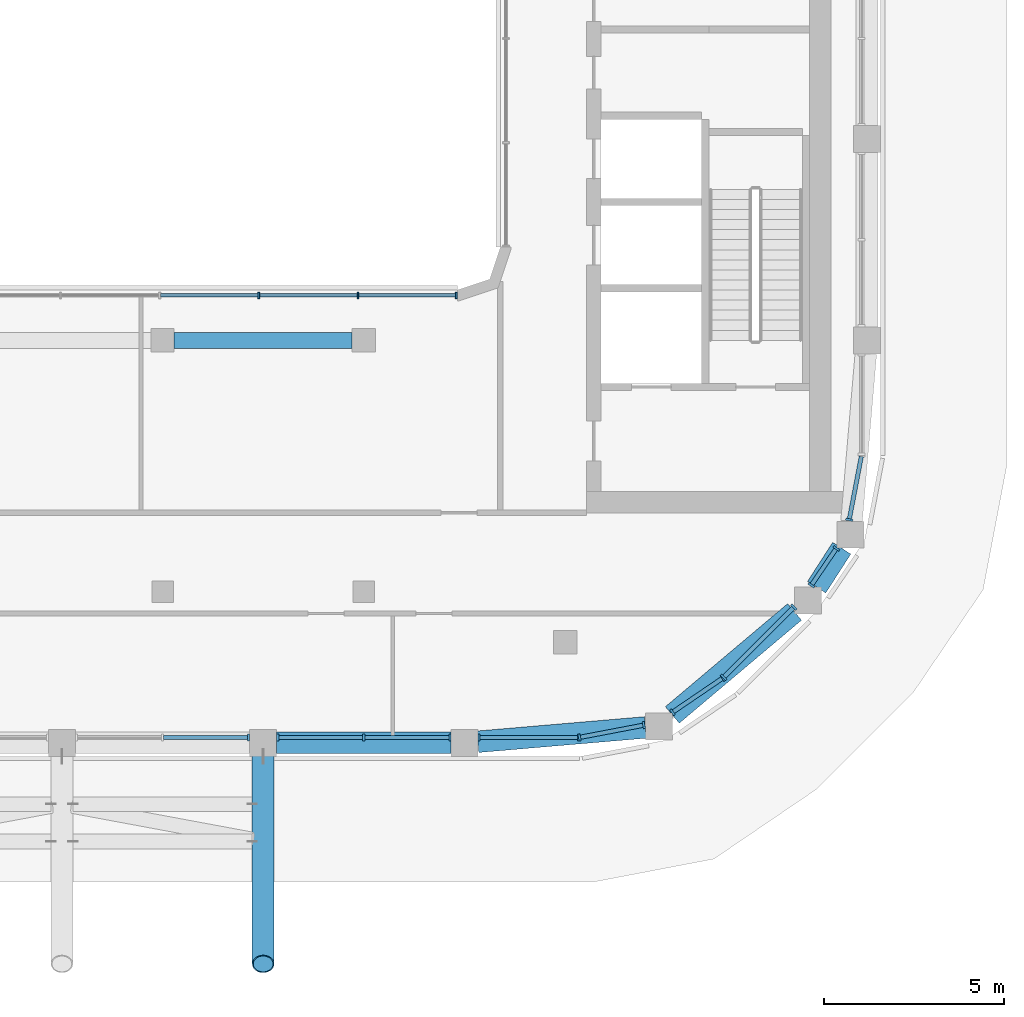
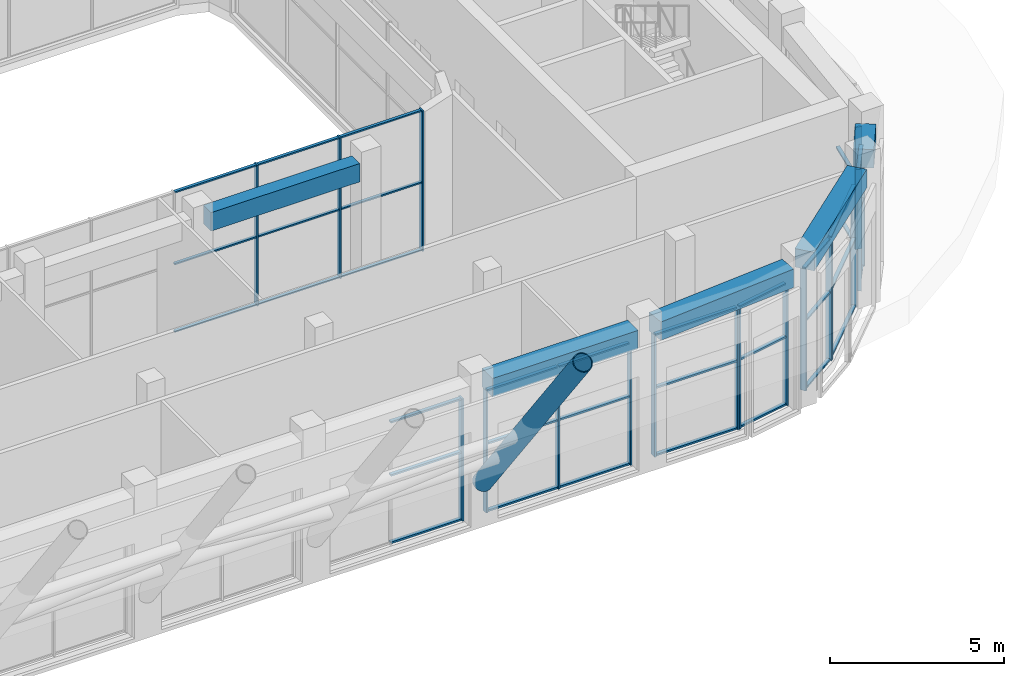
# One storey, part 6 of 24: 54 members, 5 beams, 9 elements without a shape of their own.
"""IFC4 building model written with IfcOpenShell, lengths in metres."""

from ifc_helpers import new_model, si_unit, direction, frame, origin, origin_2d, place, context, subcontext, project, spatial, rectangle, hollow_circle, extrude, material, layer, layer_set, material_profile, profile_set, type_object, element, aggregate, save


model = new_model("IFC4")

# Units and contexts
model_context = context("Model", 3, precision=1e-05, world=origin(), true_north=direction((0.0, 1.0)))
body_context = subcontext(model_context, "Body", "Model", "MODEL_VIEW")
ifc_project = project(units=[si_unit("LENGTHUNIT", "METRE"), si_unit("AREAUNIT", "SQUARE_METRE"), si_unit("VOLUMEUNIT", "CUBIC_METRE"), si_unit("PLANEANGLEUNIT", "RADIAN"), si_unit("MASSUNIT", "GRAM", prefix="KILO")], contexts=[model_context])

# Site, building, storey
site_placement = place(None, origin())
site = spatial("IfcSite", under=ifc_project, at=site_placement, CompositionType="ELEMENT")
building_placement = place(site_placement, origin())
building = spatial("IfcBuilding", under=site, at=building_placement, Name="Kiln Ring Residences", CompositionType="ELEMENT")
storey_placement = place(building_placement, frame((0.0, 0.0, 283.699951171875)))
storey = spatial("IfcBuildingStorey", under=building, at=storey_placement, Name="L74", CompositionType="ELEMENT", Elevation=283.699951171875)

# Curtain wall, member
ifc_material_1 = material(Name="Aluminium and glass", Category="aluminium")
ifc_layer_1 = layer(ifc_material_1, 0.199951171875)
ifc_layer_set_1 = layer_set([ifc_layer_1], Name="CW1 CURTAIN WALL")
curtain_wall_type_1 = type_object("IfcCurtainWallType", Name="CW1 CURTAIN WALL", PredefinedType="NOTDEFINED", material=ifc_layer_set_1)
placement = place(storey_placement, origin())
curtain_wall_1 = element("IfcCurtainWall", 1, at=placement, inside=storey, type_object=curtain_wall_type_1, Name="Curtain wall CW1 L74", PredefinedType="NOTDEFINED")
ifc_material_2 = material(Name="Aluminium 6063-T6", Category="aluminium")
ifc_material_profile_1 = material_profile(ifc_material_2, rectangle(XDim=0.199951171875, YDim=0.06005859375, at=origin_2d()), Name="AL 200x60")
ifc_profile_set_1 = profile_set([ifc_material_profile_1], Name="Aluminium 6063-T6")
member_type_1 = type_object("IfcMemberType", Name="CW1 MULLION 200 x 60", PredefinedType="MULLION", material=ifc_profile_set_1)
member_1_placement = place(storey_placement, frame((7.9951171875, -19.449951171875, 0.0), z_axis=(0.0, 0.0, 1.0), x_axis=(0.0, 1.0, 0.0)))
member_1 = element("IfcMember", 2, at=member_1_placement, type_object=member_type_1, Name="CW1 mullion 3", PredefinedType="MULLION", context=body_context, shape_type="SweptSolid", body=[
    extrude(rectangle(XDim=0.199951171875, YDim=0.06005859375, at=origin_2d()), origin(), (0.0, 0.0, 1.0), 4.300048828125),
])

# Curtain wall, members
curtain_wall_2 = element("IfcCurtainWall", 3, at=placement, inside=storey, type_object=curtain_wall_type_1, Name="Curtain wall CW1 L74", PredefinedType="NOTDEFINED")
member_2_placement = place(storey_placement, frame((8.804931640625, -19.449951171875, 0.0), z_axis=(0.0, 0.0, 1.0), x_axis=(0.0, 1.0, 0.0)))
member_2 = element("IfcMember", 4, at=member_2_placement, type_object=member_type_1, Name="CW1 mullion 1", PredefinedType="MULLION", context=body_context, shape_type="SweptSolid", body=[
    extrude(rectangle(XDim=0.199951171875, YDim=0.06005859375, at=origin_2d()), origin(), (0.0, 0.0, 1.0), 4.300048828125),
])
member_3_placement = place(storey_placement, frame((11.199951171875, -19.449951171875, 0.0), z_axis=(0.0, 0.0, 1.0), x_axis=(0.0, 1.0, 0.0)))
member_3 = element("IfcMember", 5, at=member_3_placement, type_object=member_type_1, Name="CW1 mullion 2", PredefinedType="MULLION", context=body_context, shape_type="SweptSolid", body=[
    extrude(rectangle(XDim=0.199951171875, YDim=0.06005859375, at=origin_2d()), origin(), (0.0, 0.0, 1.0), 4.300048828125),
])
member_4_placement = place(storey_placement, frame((13.594970703125, -19.449951171875, 0.0), z_axis=(0.0, 0.0, 1.0), x_axis=(0.0, 1.0, 0.0)))
member_4 = element("IfcMember", 6, at=member_4_placement, type_object=member_type_1, Name="CW1 mullion 3", PredefinedType="MULLION", context=body_context, shape_type="SweptSolid", body=[
    extrude(rectangle(XDim=0.199951171875, YDim=0.06005859375, at=origin_2d()), origin(), (0.0, 0.0, 1.0), 4.300048828125),
])

curtain_wall_3 = element("IfcCurtainWall", 7, at=placement, inside=storey, type_object=curtain_wall_type_1, Name="Curtain wall CW1 L74", PredefinedType="NOTDEFINED")
member_5_placement = place(storey_placement, frame((14.405029296875, -19.449951171875, 0.0), z_axis=(0.0, 0.0, 1.0), x_axis=(0.0, 1.0, 0.0)))
member_5 = element("IfcMember", 8, at=member_5_placement, type_object=member_type_1, Name="CW1 mullion 1", PredefinedType="MULLION", context=body_context, shape_type="SweptSolid", body=[
    extrude(rectangle(XDim=0.199951171875, YDim=0.06005859375, at=origin_2d()), origin(), (0.0, 0.0, 1.0), 4.300048828125),
])
member_6_placement = place(storey_placement, frame((17.169921875, -19.449951171875, 0.0), z_axis=(0.0, 0.0, 1.0), x_axis=(0.0, 1.0, 0.0)))
member_6 = element("IfcMember", 9, at=member_6_placement, type_object=member_type_1, Name="CW1 mullion 2", PredefinedType="MULLION", context=body_context, shape_type="SweptSolid", body=[
    extrude(rectangle(XDim=0.199951171875, YDim=0.06005859375, at=origin_2d()), origin(), (0.0, 0.0, 1.0), 4.300048828125),
])

curtain_wall_4 = element("IfcCurtainWall", 10, at=placement, inside=storey, type_object=curtain_wall_type_1, Name="Curtain wall CW1 L74", PredefinedType="NOTDEFINED")
member_7_placement = place(storey_placement, frame((17.201416015625, -19.447021484375, 0.0), z_axis=(0.0, 0.0, 1.0), x_axis=(-0.187365550364, 0.982290257784, 0.0)))
member_7 = element("IfcMember", 11, at=member_7_placement, type_object=member_type_1, Name="CW1 mullion 1", PredefinedType="MULLION", context=body_context, shape_type="SweptSolid", body=[
    extrude(rectangle(XDim=0.199951171875, YDim=0.06005859375, at=origin_2d()), origin(), (0.0, 0.0, 1.0), 4.300048828125),
])
member_8_placement = place(storey_placement, frame((18.990234375, -19.105712890625, 0.0), z_axis=(0.0, 0.0, 1.0), x_axis=(-0.187365550364, 0.982290257784, 0.0)))
member_8 = element("IfcMember", 12, at=member_8_placement, type_object=member_type_1, Name="CW1 mullion 2", PredefinedType="MULLION", context=body_context, shape_type="SweptSolid", body=[
    extrude(rectangle(XDim=0.199951171875, YDim=0.06005859375, at=origin_2d()), origin(), (0.0, 0.0, 1.0), 4.300048828125),
])

curtain_wall_5 = element("IfcCurtainWall", 13, at=placement, inside=storey, type_object=curtain_wall_type_1, Name="Curtain wall CW1 L74", PredefinedType="NOTDEFINED")
member_9_placement = place(storey_placement, frame((19.789306640625, -18.746337890625, 0.0), z_axis=(0.0, 0.0, 1.0), x_axis=(-0.562096651134, 0.827071553606, 0.0)))
member_9 = element("IfcMember", 14, at=member_9_placement, type_object=member_type_1, Name="CW1 mullion 1", PredefinedType="MULLION", context=body_context, shape_type="SweptSolid", body=[
    extrude(rectangle(XDim=0.199951171875, YDim=0.06005859375, at=origin_2d()), origin(), (0.0, 0.0, 1.0), 4.300048828125),
])
member_10_placement = place(storey_placement, frame((21.18798828125, -17.795654296875, 0.0), z_axis=(0.0, 0.0, 1.0), x_axis=(-0.562096651134, 0.827071553606, 0.0)))
member_10 = element("IfcMember", 15, at=member_10_placement, type_object=member_type_1, Name="CW1 mullion 2", PredefinedType="MULLION", context=body_context, shape_type="SweptSolid", body=[
    extrude(rectangle(XDim=0.199951171875, YDim=0.06005859375, at=origin_2d()), origin(), (0.0, 0.0, 1.0), 4.300048828125),
])

curtain_wall_6 = element("IfcCurtainWall", 16, at=placement, inside=storey, type_object=curtain_wall_type_1, Name="Curtain wall CW1 L74", PredefinedType="NOTDEFINED")
member_11_placement = place(storey_placement, frame((21.212158203125, -17.775634765625, 0.0), z_axis=(0.0, 0.0, 1.0), x_axis=(-0.707106781187, 0.707106781187, 0.0)))
member_11 = element("IfcMember", 17, at=member_11_placement, type_object=member_type_1, Name="CW1 mullion 1", PredefinedType="MULLION", context=body_context, shape_type="SweptSolid", body=[
    extrude(rectangle(XDim=0.199951171875, YDim=0.06005859375, at=origin_2d()), origin(), (0.0, 0.0, 1.0), 4.300048828125),
])
member_12_placement = place(storey_placement, frame((23.16357421875, -15.82421875, 0.0), z_axis=(0.0, 0.0, 1.0), x_axis=(-0.707106781187, 0.707106781187, 0.0)))
member_12 = element("IfcMember", 18, at=member_12_placement, type_object=member_type_1, Name="CW1 mullion 2", PredefinedType="MULLION", context=body_context, shape_type="SweptSolid", body=[
    extrude(rectangle(XDim=0.199951171875, YDim=0.06005859375, at=origin_2d()), origin(), (0.0, 0.0, 1.0), 4.300048828125),
])

curtain_wall_7 = element("IfcCurtainWall", 19, at=placement, inside=storey, type_object=curtain_wall_type_1, Name="Curtain wall CW1 L74", PredefinedType="NOTDEFINED")
member_13_placement = place(storey_placement, frame((23.65087890625, -15.21240234375, 0.0), z_axis=(0.0, 0.0, 1.0), x_axis=(-0.827071553674, 0.562096651033, 0.0)))
member_13 = element("IfcMember", 20, at=member_13_placement, type_object=member_type_1, Name="CW1 mullion 1", PredefinedType="MULLION", context=body_context, shape_type="SweptSolid", body=[
    extrude(rectangle(XDim=0.199951171875, YDim=0.06005859375, at=origin_2d()), origin(), (0.0, 0.0, 1.0), 4.300048828125),
])
member_14_placement = place(storey_placement, frame((24.34619140625, -14.189453125, 0.0), z_axis=(0.0, 0.0, 1.0), x_axis=(-0.827071553674, 0.562096651033, 0.0)))
member_14 = element("IfcMember", 21, at=member_14_placement, type_object=member_type_1, Name="CW1 mullion 2", PredefinedType="MULLION", context=body_context, shape_type="SweptSolid", body=[
    extrude(rectangle(XDim=0.199951171875, YDim=0.06005859375, at=origin_2d()), origin(), (0.0, 0.0, 1.0), 4.300048828125),
])

# Curtain wall, member
curtain_wall_8 = element("IfcCurtainWall", 22, at=placement, inside=storey, type_object=curtain_wall_type_1, Name="Curtain wall CW1 L74", PredefinedType="NOTDEFINED")
member_15_placement = place(storey_placement, frame((24.705810546875, -13.39013671875, 0.0), z_axis=(0.0, 0.0, 1.0), x_axis=(-0.982290257784, 0.187365550364, 0.0)))
member_15 = element("IfcMember", 23, at=member_15_placement, type_object=member_type_1, Name="CW1 mullion 1", PredefinedType="MULLION", context=body_context, shape_type="SweptSolid", body=[
    extrude(rectangle(XDim=0.199951171875, YDim=0.06005859375, at=origin_2d()), origin(), (0.0, 0.0, 1.0), 4.300048828125),
])

# Member
ifc_material_3 = material(Name="Aluminium 6063-T6", Category="aluminium")
ifc_material_profile_2 = material_profile(ifc_material_3, rectangle(XDim=0.1201171875, YDim=0.06005859375, at=origin_2d()), Name="AL 120x60")
ifc_profile_set_2 = profile_set([ifc_material_profile_2], Name="Aluminium 6063-T6")
member_type_2 = type_object("IfcMemberType", Name="CW1 TRANSOM 120 x 60", PredefinedType="USERDEFINED", material=ifc_profile_set_2)
member_16_placement = place(storey_placement, frame((5.6298828125, -19.449951171875, 0.030029296875), z_axis=(1.0, 0.0, 0.0), x_axis=(0.0, 1.0, 0.0)))
member_16 = element("IfcMember", 24, at=member_16_placement, type_object=member_type_2, Name="CW1 transom 2.1", ObjectType="TRANSOM", PredefinedType="USERDEFINED", context=body_context, shape_type="SweptSolid", body=[
    extrude(rectangle(XDim=0.1201171875, YDim=0.06005859375, at=origin_2d()), origin(), (0.0, 0.0, 1.0), 2.335205078125),
])

member_17_placement = place(storey_placement, frame((5.6298828125, -19.449951171875, 2.400146484375), z_axis=(1.0, 0.0, 0.0), x_axis=(0.0, 1.0, 0.0)))
member_17 = element("IfcMember", 25, at=member_17_placement, type_object=member_type_2, Name="CW1 transom 2.2", ObjectType="TRANSOM", PredefinedType="USERDEFINED", context=body_context, shape_type="SweptSolid", body=[
    extrude(rectangle(XDim=0.1201171875, YDim=0.06005859375, at=origin_2d()), origin(), (0.0, 0.0, 1.0), 2.335205078125),
])

member_18_placement = place(storey_placement, frame((5.6298828125, -19.449951171875, 4.27001953125), z_axis=(1.0, 0.0, 0.0), x_axis=(0.0, 1.0, 0.0)))
member_18 = element("IfcMember", 26, at=member_18_placement, type_object=member_type_2, Name="CW1 transom 2.3", ObjectType="TRANSOM", PredefinedType="USERDEFINED", context=body_context, shape_type="SweptSolid", body=[
    extrude(rectangle(XDim=0.1201171875, YDim=0.06005859375, at=origin_2d()), origin(), (0.0, 0.0, 1.0), 2.335205078125),
])

aggregate(curtain_wall_1, [member_1, member_16, member_17, member_18])

member_19_placement = place(storey_placement, frame((8.8349609375, -19.449951171875, 0.030029296875), z_axis=(1.0, 0.0, 0.0), x_axis=(0.0, 1.0, 0.0)))
member_19 = element("IfcMember", 27, at=member_19_placement, type_object=member_type_2, Name="CW1 transom 1.1", ObjectType="TRANSOM", PredefinedType="USERDEFINED", context=body_context, shape_type="SweptSolid", body=[
    extrude(rectangle(XDim=0.1201171875, YDim=0.06005859375, at=origin_2d()), origin(), (0.0, 0.0, 1.0), 2.3349609375),
])

member_20_placement = place(storey_placement, frame((8.8349609375, -19.449951171875, 2.400146484375), z_axis=(1.0, 0.0, 0.0), x_axis=(0.0, 1.0, 0.0)))
member_20 = element("IfcMember", 28, at=member_20_placement, type_object=member_type_2, Name="CW1 transom 1.2", ObjectType="TRANSOM", PredefinedType="USERDEFINED", context=body_context, shape_type="SweptSolid", body=[
    extrude(rectangle(XDim=0.1201171875, YDim=0.06005859375, at=origin_2d()), origin(), (0.0, 0.0, 1.0), 2.3349609375),
])

member_21_placement = place(storey_placement, frame((8.8349609375, -19.449951171875, 4.27001953125), z_axis=(1.0, 0.0, 0.0), x_axis=(0.0, 1.0, 0.0)))
member_21 = element("IfcMember", 29, at=member_21_placement, type_object=member_type_2, Name="CW1 transom 1.3", ObjectType="TRANSOM", PredefinedType="USERDEFINED", context=body_context, shape_type="SweptSolid", body=[
    extrude(rectangle(XDim=0.1201171875, YDim=0.06005859375, at=origin_2d()), origin(), (0.0, 0.0, 1.0), 2.3349609375),
])

member_22_placement = place(storey_placement, frame((11.22998046875, -19.449951171875, 0.030029296875), z_axis=(1.0, 0.0, 0.0), x_axis=(0.0, 1.0, 0.0)))
member_22 = element("IfcMember", 30, at=member_22_placement, type_object=member_type_2, Name="CW1 transom 2.1", ObjectType="TRANSOM", PredefinedType="USERDEFINED", context=body_context, shape_type="SweptSolid", body=[
    extrude(rectangle(XDim=0.1201171875, YDim=0.06005859375, at=origin_2d()), origin(), (0.0, 0.0, 1.0), 2.3349609375),
])

member_23_placement = place(storey_placement, frame((11.22998046875, -19.449951171875, 2.400146484375), z_axis=(1.0, 0.0, 0.0), x_axis=(0.0, 1.0, 0.0)))
member_23 = element("IfcMember", 31, at=member_23_placement, type_object=member_type_2, Name="CW1 transom 2.2", ObjectType="TRANSOM", PredefinedType="USERDEFINED", context=body_context, shape_type="SweptSolid", body=[
    extrude(rectangle(XDim=0.1201171875, YDim=0.06005859375, at=origin_2d()), origin(), (0.0, 0.0, 1.0), 2.3349609375),
])

member_24_placement = place(storey_placement, frame((11.22998046875, -19.449951171875, 4.27001953125), z_axis=(1.0, 0.0, 0.0), x_axis=(0.0, 1.0, 0.0)))
member_24 = element("IfcMember", 32, at=member_24_placement, type_object=member_type_2, Name="CW1 transom 2.3", ObjectType="TRANSOM", PredefinedType="USERDEFINED", context=body_context, shape_type="SweptSolid", body=[
    extrude(rectangle(XDim=0.1201171875, YDim=0.06005859375, at=origin_2d()), origin(), (0.0, 0.0, 1.0), 2.3349609375),
])

aggregate(curtain_wall_2, [member_2, member_3, member_4, member_19, member_20, member_21, member_22, member_23, member_24])

member_25_placement = place(storey_placement, frame((14.43505859375, -19.449951171875, 0.030029296875), z_axis=(1.0, 0.0, 0.0), x_axis=(0.0, 1.0, 0.0)))
member_25 = element("IfcMember", 33, at=member_25_placement, type_object=member_type_2, Name="CW1 transom 1.1", ObjectType="TRANSOM", PredefinedType="USERDEFINED", context=body_context, shape_type="SweptSolid", body=[
    extrude(rectangle(XDim=0.1201171875, YDim=0.06005859375, at=origin_2d()), origin(), (0.0, 0.0, 1.0), 2.704833984375),
])

member_26_placement = place(storey_placement, frame((14.43505859375, -19.449951171875, 2.400146484375), z_axis=(1.0, 0.0, 0.0), x_axis=(0.0, 1.0, 0.0)))
member_26 = element("IfcMember", 34, at=member_26_placement, type_object=member_type_2, Name="CW1 transom 1.2", ObjectType="TRANSOM", PredefinedType="USERDEFINED", context=body_context, shape_type="SweptSolid", body=[
    extrude(rectangle(XDim=0.1201171875, YDim=0.06005859375, at=origin_2d()), origin(), (0.0, 0.0, 1.0), 2.704833984375),
])

member_27_placement = place(storey_placement, frame((14.43505859375, -19.449951171875, 4.27001953125), z_axis=(1.0, 0.0, 0.0), x_axis=(0.0, 1.0, 0.0)))
member_27 = element("IfcMember", 35, at=member_27_placement, type_object=member_type_2, Name="CW1 transom 1.3", ObjectType="TRANSOM", PredefinedType="USERDEFINED", context=body_context, shape_type="SweptSolid", body=[
    extrude(rectangle(XDim=0.1201171875, YDim=0.06005859375, at=origin_2d()), origin(), (0.0, 0.0, 1.0), 2.704833984375),
])

aggregate(curtain_wall_3, [member_5, member_6, member_25, member_26, member_27])

member_28_placement = place(storey_placement, frame((17.230712890625, -19.44140625, 0.030029296875), z_axis=(0.982280279114, 0.187417857375, 0.0), x_axis=(-0.187417857375, 0.982280279114, 0.0)))
member_28 = element("IfcMember", 36, at=member_28_placement, type_object=member_type_2, Name="CW1 transom 1.1", ObjectType="TRANSOM", PredefinedType="USERDEFINED", context=body_context, shape_type="SweptSolid", body=[
    extrude(rectangle(XDim=0.1201171875, YDim=0.06005859375, at=origin_2d()), origin(), (0.0, 0.0, 1.0), 1.76123046875),
])

member_29_placement = place(storey_placement, frame((17.230712890625, -19.44140625, 2.400146484375), z_axis=(0.982280279114, 0.187417857375, 0.0), x_axis=(-0.187417857375, 0.982280279114, 0.0)))
member_29 = element("IfcMember", 37, at=member_29_placement, type_object=member_type_2, Name="CW1 transom 1.2", ObjectType="TRANSOM", PredefinedType="USERDEFINED", context=body_context, shape_type="SweptSolid", body=[
    extrude(rectangle(XDim=0.1201171875, YDim=0.06005859375, at=origin_2d()), origin(), (0.0, 0.0, 1.0), 1.76123046875),
])

member_30_placement = place(storey_placement, frame((17.230712890625, -19.44140625, 4.27001953125), z_axis=(0.982280279114, 0.187417857375, 0.0), x_axis=(-0.187417857375, 0.982280279114, 0.0)))
member_30 = element("IfcMember", 38, at=member_30_placement, type_object=member_type_2, Name="CW1 transom 1.3", ObjectType="TRANSOM", PredefinedType="USERDEFINED", context=body_context, shape_type="SweptSolid", body=[
    extrude(rectangle(XDim=0.1201171875, YDim=0.06005859375, at=origin_2d()), origin(), (0.0, 0.0, 1.0), 1.76123046875),
])

aggregate(curtain_wall_4, [member_7, member_8, member_28, member_29, member_30])

member_31_placement = place(storey_placement, frame((19.814208984375, -18.7294921875, 0.030029296875), z_axis=(0.826996096484, 0.562207663058, 0.0), x_axis=(-0.562207663058, 0.826996096484, 0.0)))
member_31 = element("IfcMember", 39, at=member_31_placement, type_object=member_type_2, Name="CW1 transom 1.1", ObjectType="TRANSOM", PredefinedType="USERDEFINED", context=body_context, shape_type="SweptSolid", body=[
    extrude(rectangle(XDim=0.1201171875, YDim=0.06005859375, at=origin_2d()), origin(), (0.0, 0.0, 1.0), 1.631103515625),
])

member_32_placement = place(storey_placement, frame((19.814208984375, -18.7294921875, 2.400146484375), z_axis=(0.826996096484, 0.562207663058, 0.0), x_axis=(-0.562207663058, 0.826996096484, 0.0)))
member_32 = element("IfcMember", 40, at=member_32_placement, type_object=member_type_2, Name="CW1 transom 1.2", ObjectType="TRANSOM", PredefinedType="USERDEFINED", context=body_context, shape_type="SweptSolid", body=[
    extrude(rectangle(XDim=0.1201171875, YDim=0.06005859375, at=origin_2d()), origin(), (0.0, 0.0, 1.0), 1.631103515625),
])

member_33_placement = place(storey_placement, frame((19.814208984375, -18.7294921875, 4.27001953125), z_axis=(0.826996096484, 0.562207663058, 0.0), x_axis=(-0.562207663058, 0.826996096484, 0.0)))
member_33 = element("IfcMember", 41, at=member_33_placement, type_object=member_type_2, Name="CW1 transom 1.3", ObjectType="TRANSOM", PredefinedType="USERDEFINED", context=body_context, shape_type="SweptSolid", body=[
    extrude(rectangle(XDim=0.1201171875, YDim=0.06005859375, at=origin_2d()), origin(), (0.0, 0.0, 1.0), 1.631103515625),
])

aggregate(curtain_wall_5, [member_9, member_10, member_31, member_32, member_33])

member_34_placement = place(storey_placement, frame((21.2333984375, -17.75439453125, 0.030029296875), z_axis=(0.707106781187, 0.707106781187, 0.0), x_axis=(-0.707106781187, 0.707106781187, 0.0)))
member_34 = element("IfcMember", 42, at=member_34_placement, type_object=member_type_2, Name="CW1 transom 1.1", ObjectType="TRANSOM", PredefinedType="USERDEFINED", context=body_context, shape_type="SweptSolid", body=[
    extrude(rectangle(XDim=0.1201171875, YDim=0.06005859375, at=origin_2d()), origin(), (0.0, 0.0, 1.0), 2.69970703125),
])

member_35_placement = place(storey_placement, frame((21.2333984375, -17.75439453125, 2.400146484375), z_axis=(0.707106781187, 0.707106781187, 0.0), x_axis=(-0.707106781187, 0.707106781187, 0.0)))
member_35 = element("IfcMember", 43, at=member_35_placement, type_object=member_type_2, Name="CW1 transom 1.2", ObjectType="TRANSOM", PredefinedType="USERDEFINED", context=body_context, shape_type="SweptSolid", body=[
    extrude(rectangle(XDim=0.1201171875, YDim=0.06005859375, at=origin_2d()), origin(), (0.0, 0.0, 1.0), 2.69970703125),
])

member_36_placement = place(storey_placement, frame((21.2333984375, -17.75439453125, 4.27001953125), z_axis=(0.707106781187, 0.707106781187, 0.0), x_axis=(-0.707106781187, 0.707106781187, 0.0)))
member_36 = element("IfcMember", 44, at=member_36_placement, type_object=member_type_2, Name="CW1 transom 1.3", ObjectType="TRANSOM", PredefinedType="USERDEFINED", context=body_context, shape_type="SweptSolid", body=[
    extrude(rectangle(XDim=0.1201171875, YDim=0.06005859375, at=origin_2d()), origin(), (0.0, 0.0, 1.0), 2.69970703125),
])

aggregate(curtain_wall_6, [member_11, member_12, member_34, member_35, member_36])

member_37_placement = place(storey_placement, frame((23.667724609375, -15.187744140625, 0.030029296875), z_axis=(0.56204904385, 0.827103906596, 0.0), x_axis=(-0.827103906596, 0.56204904385, 0.0)))
member_37 = element("IfcMember", 45, at=member_37_placement, type_object=member_type_2, Name="CW1 transom 1.1", ObjectType="TRANSOM", PredefinedType="USERDEFINED", context=body_context, shape_type="SweptSolid", body=[
    extrude(rectangle(XDim=0.1201171875, YDim=0.06005859375, at=origin_2d()), origin(), (0.0, 0.0, 1.0), 1.17724609375),
])

member_38_placement = place(storey_placement, frame((23.667724609375, -15.187744140625, 2.400146484375), z_axis=(0.56204904385, 0.827103906596, 0.0), x_axis=(-0.827103906596, 0.56204904385, 0.0)))
member_38 = element("IfcMember", 46, at=member_38_placement, type_object=member_type_2, Name="CW1 transom 1.2", ObjectType="TRANSOM", PredefinedType="USERDEFINED", context=body_context, shape_type="SweptSolid", body=[
    extrude(rectangle(XDim=0.1201171875, YDim=0.06005859375, at=origin_2d()), origin(), (0.0, 0.0, 1.0), 1.17724609375),
])

member_39_placement = place(storey_placement, frame((23.667724609375, -15.187744140625, 4.27001953125), z_axis=(0.56204904385, 0.827103906596, 0.0), x_axis=(-0.827103906596, 0.56204904385, 0.0)))
member_39 = element("IfcMember", 47, at=member_39_placement, type_object=member_type_2, Name="CW1 transom 1.3", ObjectType="TRANSOM", PredefinedType="USERDEFINED", context=body_context, shape_type="SweptSolid", body=[
    extrude(rectangle(XDim=0.1201171875, YDim=0.06005859375, at=origin_2d()), origin(), (0.0, 0.0, 1.0), 1.17724609375),
])

aggregate(curtain_wall_7, [member_13, member_14, member_37, member_38, member_39])

member_40_placement = place(storey_placement, frame((24.71142578125, -13.36083984375, 0.030029296875), z_axis=(0.187417857375, 0.982280279114, 0.0), x_axis=(-0.982280279114, 0.187417857375, 0.0)))
member_40 = element("IfcMember", 48, at=member_40_placement, type_object=member_type_2, Name="CW1 transom 1.1", ObjectType="TRANSOM", PredefinedType="USERDEFINED", context=body_context, shape_type="SweptSolid", body=[
    extrude(rectangle(XDim=0.1201171875, YDim=0.06005859375, at=origin_2d()), origin(), (0.0, 0.0, 1.0), 1.76123046875),
])

member_41_placement = place(storey_placement, frame((24.71142578125, -13.36083984375, 2.400146484375), z_axis=(0.187417857375, 0.982280279114, 0.0), x_axis=(-0.982280279114, 0.187417857375, 0.0)))
member_41 = element("IfcMember", 49, at=member_41_placement, type_object=member_type_2, Name="CW1 transom 1.2", ObjectType="TRANSOM", PredefinedType="USERDEFINED", context=body_context, shape_type="SweptSolid", body=[
    extrude(rectangle(XDim=0.1201171875, YDim=0.06005859375, at=origin_2d()), origin(), (0.0, 0.0, 1.0), 1.76123046875),
])

aggregate(curtain_wall_8, [member_15, member_40, member_41])

# Curtain wall, members
ifc_material_4 = material(Name="Aluminium and glass", Category="aluminium")
ifc_layer_2 = layer(ifc_material_4, 0.179931640625)
ifc_layer_set_2 = layer_set([ifc_layer_2], Name="CW3 CURTAIN WALL")
curtain_wall_type_2 = type_object("IfcCurtainWallType", Name="CW3 CURTAIN WALL", PredefinedType="NOTDEFINED", material=ifc_layer_set_2)
curtain_wall_9 = element("IfcCurtainWall", 50, at=placement, inside=storey, type_object=curtain_wall_type_2, Name="Curtain wall CW3 L74", PredefinedType="NOTDEFINED")
ifc_material_5 = material(Name="Aluminium 6063-T6", Category="aluminium")
ifc_material_profile_3 = material_profile(ifc_material_5, rectangle(XDim=0.179931640625, YDim=0.050048828125, at=origin_2d()), Name="AL 180x50")
ifc_profile_set_3 = profile_set([ifc_material_profile_3], Name="Aluminium 6063-T6")
member_type_3 = type_object("IfcMemberType", Name="CW3 MULLION 180 x 50", PredefinedType="MULLION", material=ifc_profile_set_3)
member_42_placement = place(storey_placement, frame((13.77490234375, -7.14990234375, 0.0), z_axis=(0.0, 0.0, 1.0), x_axis=(0.0, -1.0, 0.0)))
member_42 = element("IfcMember", 51, at=member_42_placement, type_object=member_type_3, Name="CW3 mullion 1", PredefinedType="MULLION", context=body_context, shape_type="SweptSolid", body=[
    extrude(rectangle(XDim=0.179931640625, YDim=0.050048828125, at=origin_2d()), origin(), (0.0, 0.0, 1.0), 4.949951171875),
])
member_43_placement = place(storey_placement, frame((11.0400390625, -7.14990234375, 0.0), z_axis=(0.0, 0.0, 1.0), x_axis=(0.0, -1.0, 0.0)))
member_43 = element("IfcMember", 52, at=member_43_placement, type_object=member_type_3, Name="CW3 mullion 2", PredefinedType="MULLION", context=body_context, shape_type="SweptSolid", body=[
    extrude(rectangle(XDim=0.179931640625, YDim=0.050048828125, at=origin_2d()), origin(), (0.0, 0.0, 1.0), 4.949951171875),
])
member_44_placement = place(storey_placement, frame((8.280029296875, -7.14990234375, 0.0), z_axis=(0.0, 0.0, 1.0), x_axis=(0.0, -1.0, 0.0)))
member_44 = element("IfcMember", 53, at=member_44_placement, type_object=member_type_3, Name="CW3 mullion 3", PredefinedType="MULLION", context=body_context, shape_type="SweptSolid", body=[
    extrude(rectangle(XDim=0.179931640625, YDim=0.050048828125, at=origin_2d()), origin(), (0.0, 0.0, 1.0), 4.949951171875),
])
ifc_material_6 = material(Name="Aluminium 6063-T6", Category="aluminium")
ifc_material_profile_4 = material_profile(ifc_material_6, rectangle(XDim=0.10009765625, YDim=0.050048828125, at=origin_2d()), Name="AL 100x50")
ifc_profile_set_4 = profile_set([ifc_material_profile_4], Name="Aluminium 6063-T6")
member_type_4 = type_object("IfcMemberType", Name="CW3 TRANSOM 100 x 50", PredefinedType="USERDEFINED", material=ifc_profile_set_4)
member_45_placement = place(storey_placement, frame((13.75, -7.14990234375, 0.025146484375), z_axis=(-1.0, 0.0, 0.0), x_axis=(0.0, -1.0, 0.0)))
member_45 = element("IfcMember", 54, at=member_45_placement, type_object=member_type_4, Name="CW3 transom 1.1", ObjectType="TRANSOM", PredefinedType="USERDEFINED", context=body_context, shape_type="SweptSolid", body=[
    extrude(rectangle(XDim=0.10009765625, YDim=0.050048828125, at=origin_2d()), origin(), (0.0, 0.0, 1.0), 2.68505859375),
])
member_46_placement = place(storey_placement, frame((13.75, -7.14990234375, 2.400146484375), z_axis=(-1.0, 0.0, 0.0), x_axis=(0.0, -1.0, 0.0)))
member_46 = element("IfcMember", 55, at=member_46_placement, type_object=member_type_4, Name="CW3 transom 1.2", ObjectType="TRANSOM", PredefinedType="USERDEFINED", context=body_context, shape_type="SweptSolid", body=[
    extrude(rectangle(XDim=0.10009765625, YDim=0.050048828125, at=origin_2d()), origin(), (0.0, 0.0, 1.0), 2.68505859375),
])
member_47_placement = place(storey_placement, frame((13.75, -7.14990234375, 4.925048828125), z_axis=(-1.0, 0.0, 0.0), x_axis=(0.0, -1.0, 0.0)))
member_47 = element("IfcMember", 56, at=member_47_placement, type_object=member_type_4, Name="CW3 transom 1.3", ObjectType="TRANSOM", PredefinedType="USERDEFINED", context=body_context, shape_type="SweptSolid", body=[
    extrude(rectangle(XDim=0.10009765625, YDim=0.050048828125, at=origin_2d()), origin(), (0.0, 0.0, 1.0), 2.68505859375),
])
member_48_placement = place(storey_placement, frame((11.014892578125, -7.14990234375, 0.025146484375), z_axis=(-1.0, 0.0, 0.0), x_axis=(0.0, -1.0, 0.0)))
member_48 = element("IfcMember", 57, at=member_48_placement, type_object=member_type_4, Name="CW3 transom 2.1", ObjectType="TRANSOM", PredefinedType="USERDEFINED", context=body_context, shape_type="SweptSolid", body=[
    extrude(rectangle(XDim=0.10009765625, YDim=0.050048828125, at=origin_2d()), origin(), (0.0, 0.0, 1.0), 2.7099609375),
])
member_49_placement = place(storey_placement, frame((11.014892578125, -7.14990234375, 2.400146484375), z_axis=(-1.0, 0.0, 0.0), x_axis=(0.0, -1.0, 0.0)))
member_49 = element("IfcMember", 58, at=member_49_placement, type_object=member_type_4, Name="CW3 transom 2.2", ObjectType="TRANSOM", PredefinedType="USERDEFINED", context=body_context, shape_type="SweptSolid", body=[
    extrude(rectangle(XDim=0.10009765625, YDim=0.050048828125, at=origin_2d()), origin(), (0.0, 0.0, 1.0), 2.7099609375),
])
member_50_placement = place(storey_placement, frame((11.014892578125, -7.14990234375, 4.925048828125), z_axis=(-1.0, 0.0, 0.0), x_axis=(0.0, -1.0, 0.0)))
member_50 = element("IfcMember", 59, at=member_50_placement, type_object=member_type_4, Name="CW3 transom 2.3", ObjectType="TRANSOM", PredefinedType="USERDEFINED", context=body_context, shape_type="SweptSolid", body=[
    extrude(rectangle(XDim=0.10009765625, YDim=0.050048828125, at=origin_2d()), origin(), (0.0, 0.0, 1.0), 2.7099609375),
])
member_51_placement = place(storey_placement, frame((8.2548828125, -7.14990234375, 0.025146484375), z_axis=(-1.0, 0.0, 0.0), x_axis=(0.0, -1.0, 0.0)))
member_51 = element("IfcMember", 60, at=member_51_placement, type_object=member_type_4, Name="CW3 transom 3.1", ObjectType="TRANSOM", PredefinedType="USERDEFINED", context=body_context, shape_type="SweptSolid", body=[
    extrude(rectangle(XDim=0.10009765625, YDim=0.050048828125, at=origin_2d()), origin(), (0.0, 0.0, 1.0), 2.7099609375),
])
member_52_placement = place(storey_placement, frame((8.2548828125, -7.14990234375, 2.400146484375), z_axis=(-1.0, 0.0, 0.0), x_axis=(0.0, -1.0, 0.0)))
member_52 = element("IfcMember", 61, at=member_52_placement, type_object=member_type_4, Name="CW3 transom 3.2", ObjectType="TRANSOM", PredefinedType="USERDEFINED", context=body_context, shape_type="SweptSolid", body=[
    extrude(rectangle(XDim=0.10009765625, YDim=0.050048828125, at=origin_2d()), origin(), (0.0, 0.0, 1.0), 2.7099609375),
])
member_53_placement = place(storey_placement, frame((8.2548828125, -7.14990234375, 4.925048828125), z_axis=(-1.0, 0.0, 0.0), x_axis=(0.0, -1.0, 0.0)))
member_53 = element("IfcMember", 62, at=member_53_placement, type_object=member_type_4, Name="CW3 transom 3.3", ObjectType="TRANSOM", PredefinedType="USERDEFINED", context=body_context, shape_type="SweptSolid", body=[
    extrude(rectangle(XDim=0.10009765625, YDim=0.050048828125, at=origin_2d()), origin(), (0.0, 0.0, 1.0), 2.7099609375),
])
aggregate(curtain_wall_9, [member_42, member_43, member_44, member_45, member_46, member_47, member_48, member_49, member_50, member_51, member_52, member_53])

# Member
ifc_material_7 = material(Name="Steel S460", Category="steel")
ifc_material_profile_5 = material_profile(ifc_material_7, hollow_circle(Radius=0.304931640625, WallThickness=0.030029296875, at=origin_2d()), Name="CHS610x30")
ifc_profile_set_5 = profile_set([ifc_material_profile_5], Name="Steel S460")
member_type_5 = type_object("IfcMemberType", Name="Pool knee brace CHS610x30 S460", PredefinedType="BRACE", material=ifc_profile_set_5)
member_54_placement = place(storey_placement, frame((8.39990234375, -19.97509765625, 1.5), z_axis=(0.0, -0.59999594151, 0.800003043852), x_axis=(1.0, 0.0, 0.0)))
element("IfcMember", 63, at=member_54_placement, inside=storey, type_object=member_type_5, Name="Pool knee brace L74 4", PredefinedType="BRACE", context=body_context, shape_type="SweptSolid", body=[
    extrude(hollow_circle(Radius=0.304931640625, WallThickness=0.030029296875, at=origin_2d()), origin(), (0.0, 0.0, 1.0), 9.625),
])

# Beams
ifc_material_8 = material(Name="Concrete C50/60", Category="concrete")
ifc_material_profile_6 = material_profile(ifc_material_8, rectangle(XDim=0.449951171875, YDim=0.64990234375, at=origin_2d()), Name="RC450x650")
ifc_profile_set_6 = profile_set([ifc_material_profile_6], Name="Concrete C50/60")
beam_type_1 = type_object("IfcBeamType", Name="Ring beam RC450x650 C50/60", PredefinedType="BEAM", material=ifc_profile_set_6)
beam_1_placement = place(storey_placement, frame((5.925048828125, -8.39990234375, 4.625), z_axis=(1.0, 0.0, 0.0), x_axis=(0.0, 1.0, 0.0)))
element("IfcBeam", 64, at=beam_1_placement, inside=storey, type_object=beam_type_1, Name="Ring beam L74 4", PredefinedType="BEAM", context=body_context, shape_type="SweptSolid", body=[
    extrude(rectangle(XDim=0.449951171875, YDim=0.64990234375, at=origin_2d()), origin(), (0.0, 0.0, 1.0), 4.949951171875),
])
ifc_material_9 = material(Name="Concrete C50/60", Category="concrete")
ifc_material_profile_7 = material_profile(ifc_material_9, rectangle(XDim=0.60009765625, YDim=0.64990234375, at=origin_2d()), Name="RC600x650")
ifc_profile_set_7 = profile_set([ifc_material_profile_7], Name="Concrete C50/60")
beam_type_2 = type_object("IfcBeamType", Name="Spandrel beam RC600x650 C50/60", PredefinedType="SPANDREL", material=ifc_profile_set_7)
beam_2_placement = place(storey_placement, frame((8.77490234375, -19.60009765625, 4.625), z_axis=(1.0, 0.0, 0.0), x_axis=(0.0, 1.0, 0.0)))
element("IfcBeam", 65, at=beam_2_placement, inside=storey, type_object=beam_type_2, Name="Spandrel beam L74 6", PredefinedType="SPANDREL", context=body_context, shape_type="SweptSolid", body=[
    extrude(rectangle(XDim=0.60009765625, YDim=0.64990234375, at=origin_2d()), origin(), (0.0, 0.0, 1.0), 4.85009765625),
])
beam_3_placement = place(storey_placement, frame((14.375, -19.56787109375, 4.625), z_axis=(0.996375913916, 0.085059027553, 0.0), x_axis=(-0.085059027553, 0.996375913916, 0.0)))
element("IfcBeam", 66, at=beam_3_placement, inside=storey, type_object=beam_type_2, Name="Spandrel beam L74 7", PredefinedType="SPANDREL", context=body_context, shape_type="SweptSolid", body=[
    extrude(rectangle(XDim=0.60009765625, YDim=0.64990234375, at=origin_2d()), origin(), (0.0, 0.0, 1.0), 4.675537109375),
])
beam_4_placement = place(storey_placement, frame((19.78369140625, -18.822021484375, 4.625), z_axis=(0.764731805725, 0.644348714062, 0.0), x_axis=(-0.644348714062, 0.764731805725, 0.0)))
element("IfcBeam", 67, at=beam_4_placement, inside=storey, type_object=beam_type_2, Name="Spandrel beam L74 8", PredefinedType="SPANDREL", context=body_context, shape_type="SweptSolid", body=[
    extrude(rectangle(XDim=0.60009765625, YDim=0.64990234375, at=origin_2d()), origin(), (0.0, 0.0, 1.0), 4.447509765625),
])
beam_5_placement = place(storey_placement, frame((23.801025390625, -15.26513671875, 4.625), z_axis=(0.541045404444, 0.840993383048, 0.0), x_axis=(-0.840993383048, 0.541045404444, 0.0)))
element("IfcBeam", 68, at=beam_5_placement, inside=storey, type_object=beam_type_2, Name="Spandrel beam L74 9", PredefinedType="SPANDREL", context=body_context, shape_type="SweptSolid", body=[
    extrude(rectangle(XDim=0.60009765625, YDim=0.64990234375, at=origin_2d()), origin(), (0.0, 0.0, 1.0), 1.2861328125),
])

save(model, "model.ifc")
